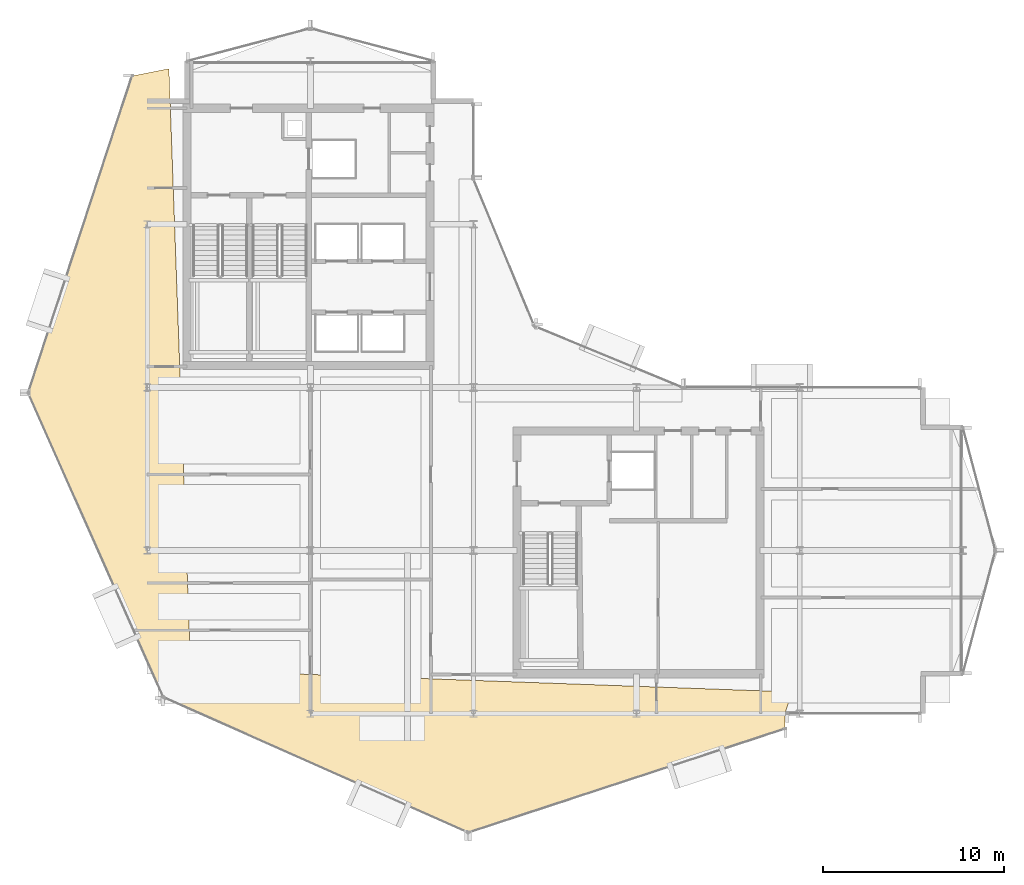
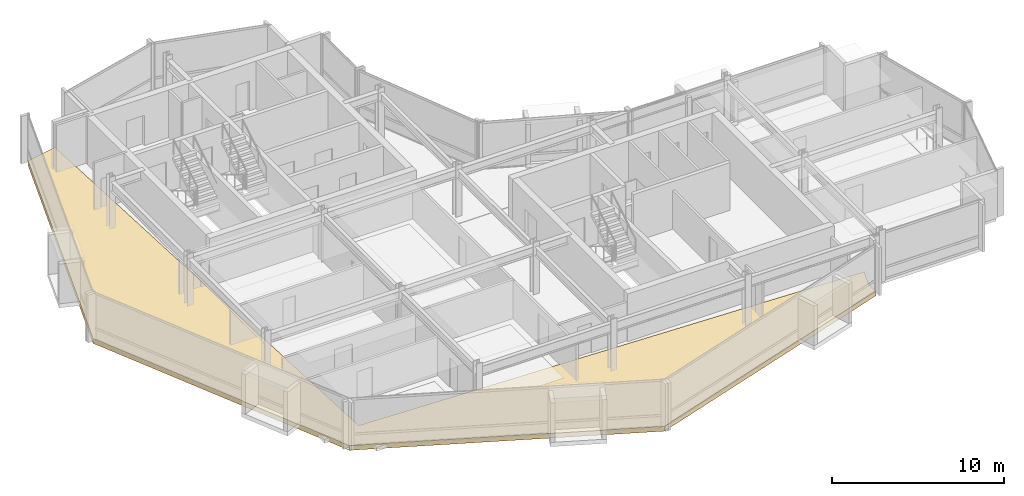
# One storey, part 24 of 27: 1 covering.
"""IFC4 building model written with IfcOpenShell, lengths in metres."""

from ifc_helpers import new_model, si_unit, direction, frame, origin, place, context, subcontext, project, spatial, polyline, outline, extrude, material, layer, layer_set, type_object, element, save


model = new_model("IFC4")

# Units and contexts
model_context = context("Model", 3, precision=1e-05, world=origin(), true_north=direction((0.0, 1.0)))
body_context = subcontext(model_context, "Body", "Model", "MODEL_VIEW")
ifc_project = project(units=[si_unit("LENGTHUNIT", "METRE"), si_unit("AREAUNIT", "SQUARE_METRE"), si_unit("VOLUMEUNIT", "CUBIC_METRE"), si_unit("PLANEANGLEUNIT", "RADIAN"), si_unit("MASSUNIT", "GRAM", prefix="KILO")], contexts=[model_context])

# Site, building, storey
site_placement = place(None, origin())
site = spatial("IfcSite", under=ifc_project, at=site_placement, CompositionType="ELEMENT")
building_placement = place(site_placement, origin())
building = spatial("IfcBuilding", under=site, at=building_placement, Name="Solvaryn Broadcast Tower", CompositionType="ELEMENT")
storey_placement = place(building_placement, frame((0.0, 0.0, 232.10009765625)))
storey = spatial("IfcBuildingStorey", under=building, at=storey_placement, Name="L58", CompositionType="ELEMENT", Elevation=232.10009765625)

# Covering
ifc_material = material(Name="Sculpted Architectural Terracotta Wave Fascia", Category="masonry")
ifc_layer = layer(ifc_material, 0.340087890625)
ifc_layer_set = layer_set([ifc_layer], Name="CV-WAVE-TRAY")
covering_type = type_object("IfcCoveringType", Name="CV-WAVE-TRAY", PredefinedType="CLADDING", material=ifc_layer_set)
covering_placement = place(storey_placement, frame((0.0, 0.0, -0.300048828125)))
element("IfcCovering", 1, at=covering_placement, inside=storey, type_object=covering_type, Name="L58 Stepped Cylindrical Drum Floor Apron", PredefinedType="CLADDING", context=body_context, shape_type="SweptSolid", body=[
    extrude(outline(polyline([(10.199951171875, 44.58203125), (8.1630859375, 44.181884765625), (2.43310546875, 26.7060546875), (9.89794921875, 9.89794921875), (26.7060546875, 2.43310546875), (44.181884765625, 8.1630859375), (44.181884765625, 9.0), (44.58203125, 10.199951171875), (11.39990234375, 11.39990234375), (10.199951171875, 44.58203125)])), origin(), (0.0, 0.0, 1.0), 0.329833984375),
])

save(model, "model.ifc")
